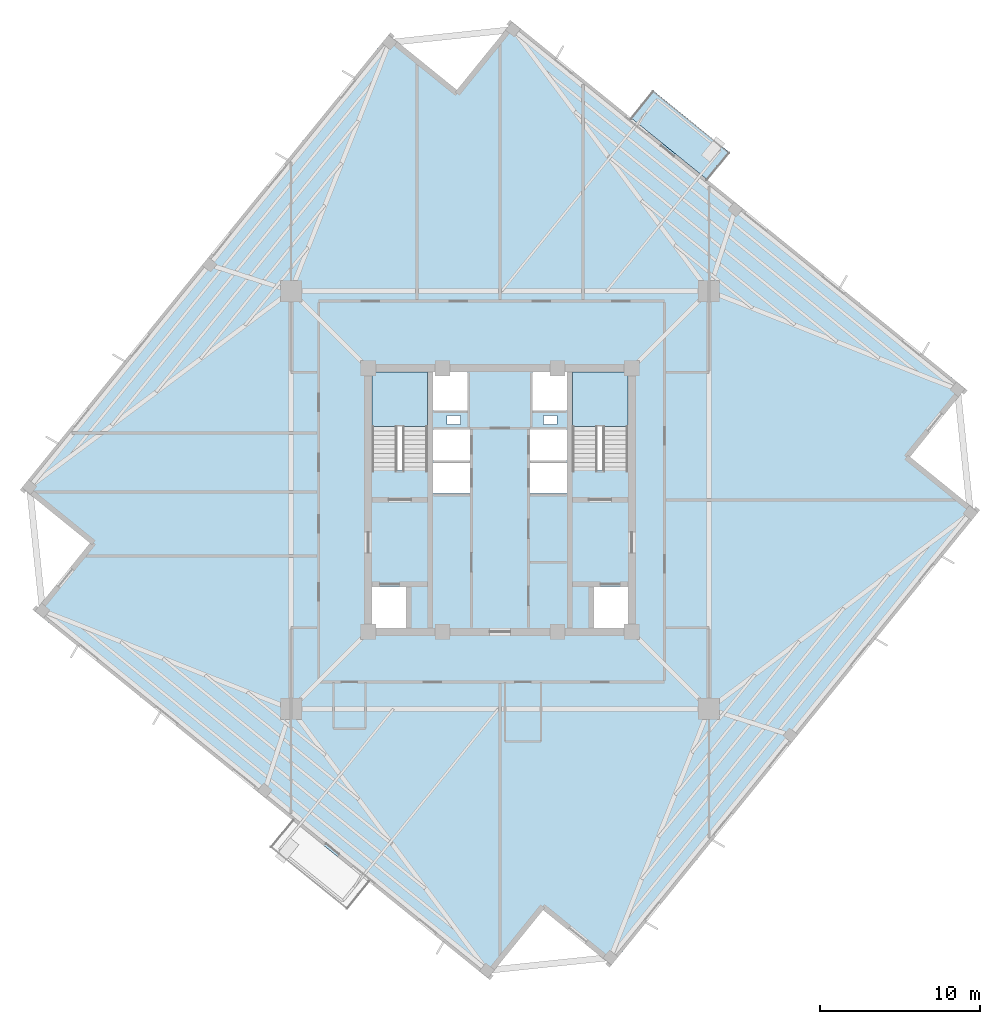
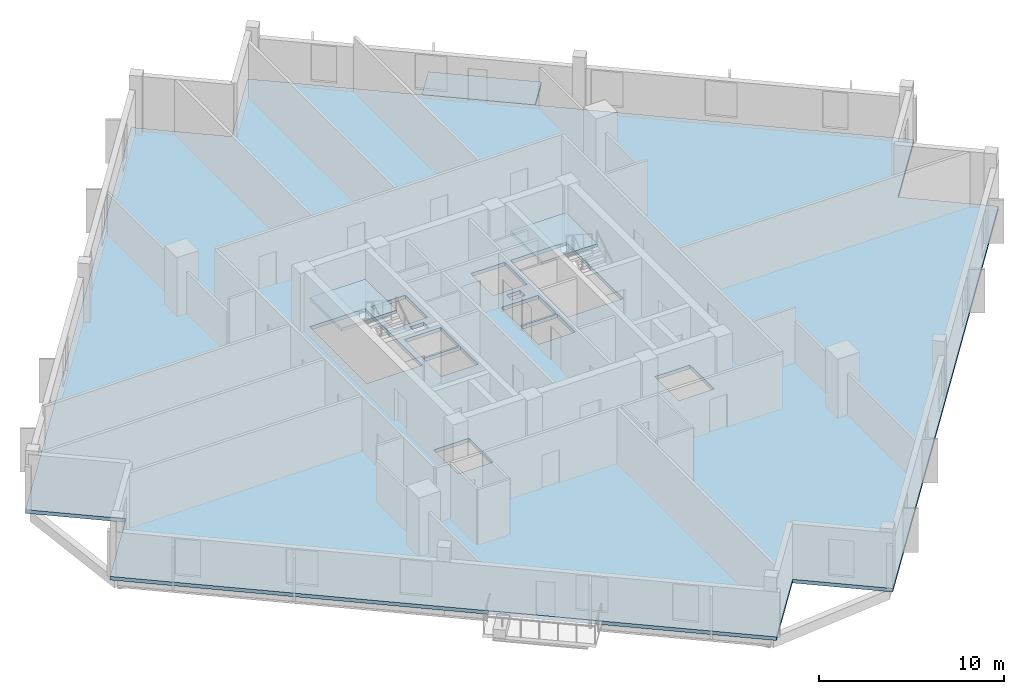
# One storey, part 2 of 10: 4 slabs, 2 elements without a shape of their own.
"""IFC4 building model written with IfcOpenShell, lengths in metres."""

from ifc_helpers import new_model, si_unit, direction, frame, origin, place, context, subcontext, project, spatial, polyline, outline, extrude, material, layer, layer_set, type_object, element, aggregate, save


model = new_model("IFC4")

# Units and contexts
model_context = context("Model", 3, precision=1e-05, world=origin(), true_north=direction((0.0, 1.0)))
body_context = subcontext(model_context, "Body", "Model", "MODEL_VIEW")
ifc_project = project(units=[si_unit("LENGTHUNIT", "METRE"), si_unit("AREAUNIT", "SQUARE_METRE"), si_unit("VOLUMEUNIT", "CUBIC_METRE"), si_unit("PLANEANGLEUNIT", "RADIAN"), si_unit("MASSUNIT", "GRAM", prefix="KILO"), si_unit("THERMODYNAMICTEMPERATUREUNIT", "KELVIN")], contexts=[model_context])

# Site, building, storey
site_placement = place(None, origin())
site = spatial("IfcSite", under=ifc_project, at=site_placement, CompositionType="ELEMENT")
building_placement = place(site_placement, origin())
building = spatial("IfcBuilding", under=site, at=building_placement, Name="Kosmvard Interchange Tower", CompositionType="ELEMENT")
storey_placement = place(building_placement, frame((0.0, 0.0, 252.39990234375)))
storey = spatial("IfcBuildingStorey", under=building, at=storey_placement, Name="L61", CompositionType="ELEMENT", Elevation=252.39990234375)

# Slab
ifc_material = material(Name="Concrete C50/60", Category="concrete")
ifc_layer_1 = layer(ifc_material, 0.239990234375, Name="Concrete C50/60")
ifc_layer_set_1 = layer_set([ifc_layer_1], Name="Concrete C50/60")
slab_type_1 = type_object("IfcSlabType", Name="High-Rise Suite Composite Slab 240 C50/60", PredefinedType="FLOOR", material=ifc_layer_set_1)
slab_1_placement = place(storey_placement, frame((0.0, 0.0, -0.239990234375)))
element("IfcSlab", 1, at=slab_1_placement, inside=storey, type_object=slab_type_1, Name="L61 Structural Floor Slab", PredefinedType="FLOOR", context=body_context, shape_type="SweptSolid", body=[
    extrude(outline(polyline([(6.97216796875, -29.12939453125), (29.9423828125, -0.763427734375), (25.66796875, 2.69775390625), (29.12939453125, 6.97216796875), (0.763427734375, 29.9423828125), (-2.69775390625, 25.66796875), (-6.97216796875, 29.12939453125), (-29.9423828125, 0.763427734375), (-25.66796875, -2.69775390625), (-29.12939453125, -6.97216796875), (-0.763427734375, -29.9423828125), (2.69775390625, -25.66796875), (6.97216796875, -29.12939453125)]), holes=[polyline([(-8.0, 1.8349609375), (-4.5400390625, 1.8349609375), (-4.5400390625, 8.0), (-8.0, 8.0), (-8.0, 1.8349609375)]), polyline([(4.5400390625, 1.8349609375), (8.0, 1.8349609375), (8.0, 8.0), (4.5400390625, 8.0), (4.5400390625, 1.8349609375)]), polyline([(-8.0, -8.0), (-5.800048828125, -8.0), (-5.800048828125, -5.39990234375), (-8.0, -5.39990234375), (-8.0, -8.0)]), polyline([(5.800048828125, -8.0), (8.0, -8.0), (8.0, -5.39990234375), (5.800048828125, -5.39990234375), (5.800048828125, -8.0)]), polyline([(-4.179931640625, 0.39990234375), (-1.8798828125, 0.39990234375), (-1.8798828125, 2.340087890625), (-4.179931640625, 2.340087890625), (-4.179931640625, 0.39990234375)]), polyline([(-4.179931640625, 2.4599609375), (-1.8798828125, 2.4599609375), (-1.8798828125, 4.39990234375), (-4.179931640625, 4.39990234375), (-4.179931640625, 2.4599609375)]), polyline([(1.8798828125, 0.39990234375), (4.179931640625, 0.39990234375), (4.179931640625, 2.340087890625), (1.8798828125, 2.340087890625), (1.8798828125, 0.39990234375)]), polyline([(1.8798828125, 2.4599609375), (4.179931640625, 2.4599609375), (4.179931640625, 4.39990234375), (1.8798828125, 4.39990234375), (1.8798828125, 2.4599609375)]), polyline([(-4.179931640625, 5.60009765625), (-2.0400390625, 5.60009765625), (-2.0400390625, 8.0), (-4.179931640625, 8.0), (-4.179931640625, 5.60009765625)]), polyline([(2.0400390625, 5.60009765625), (4.179931640625, 5.60009765625), (4.179931640625, 8.0), (2.0400390625, 8.0), (2.0400390625, 5.60009765625)]), polyline([(-3.31494140625, 4.739990234375), (-2.465087890625, 4.739990234375), (-2.465087890625, 5.2900390625), (-3.31494140625, 5.2900390625), (-3.31494140625, 4.739990234375)]), polyline([(2.715087890625, 4.739990234375), (3.56494140625, 4.739990234375), (3.56494140625, 5.2900390625), (2.715087890625, 5.2900390625), (2.715087890625, 4.739990234375)])]), origin(), (0.0, 0.0, 1.0), 0.239990234375),
])

# Stair, slab
stair_type = type_object("IfcStairType", Name="Dog-Leg Core Exit Stair H3900 C50/60", PredefinedType="HALF_TURN_STAIR", material=ifc_material)
stair_1_placement = place(storey_placement, origin())
stair_1 = element("IfcStair", 2, at=stair_1_placement, inside=storey, type_object=stair_type, Name="L61 Protected Exit Stair ST-1", PredefinedType="HALF_TURN_STAIR")
ifc_layer_2 = layer(ifc_material, 0.199951171875, Name="Concrete C50/60")
ifc_layer_set_2 = layer_set([ifc_layer_2], Name="Concrete C50/60")
slab_type_2 = type_object("IfcSlabType", Name="Stair Half-Landing Slab 200 C50/60", PredefinedType="LANDING", material=ifc_layer_set_2)
slab_2_placement = place(storey_placement, frame((0.0, 0.0, 1.75)))
slab_2 = element("IfcSlab", 3, at=slab_2_placement, type_object=slab_type_2, Name="ST-1 landing 1", PredefinedType="LANDING", context=body_context, shape_type="SweptSolid", body=[
    extrude(outline(polyline([(-4.5400390625, 4.60009765625), (-4.5400390625, 8.0), (-8.0, 8.0), (-8.0, 4.60009765625), (-4.5400390625, 4.60009765625)])), origin(), (0.0, 0.0, 1.0), 0.2001953125),
])
aggregate(stair_1, [slab_2])

stair_2_placement = place(storey_placement, origin())
stair_2 = element("IfcStair", 4, at=stair_2_placement, inside=storey, type_object=stair_type, Name="L61 Protected Exit Stair ST-2", PredefinedType="HALF_TURN_STAIR")
slab_3_placement = place(storey_placement, frame((0.0, 0.0, 1.75)))
slab_3 = element("IfcSlab", 5, at=slab_3_placement, type_object=slab_type_2, Name="ST-2 landing 1", PredefinedType="LANDING", context=body_context, shape_type="SweptSolid", body=[
    extrude(outline(polyline([(8.0, 4.60009765625), (8.0, 8.0), (4.5400390625, 8.0), (4.5400390625, 4.60009765625), (8.0, 4.60009765625)])), origin(), (0.0, 0.0, 1.0), 0.2001953125),
])
aggregate(stair_2, [slab_3])

# Slab
ifc_layer_3 = layer(ifc_material, 0.22998046875, Name="Concrete C50/60")
ifc_layer_set_3 = layer_set([ifc_layer_3], Name="Concrete C50/60")
slab_type_3 = type_object("IfcSlabType", Name="Tree-Planter Cantilever Balcony Slab 230 C50/60", PredefinedType="FLOOR", material=ifc_layer_set_3)
slab_4_placement = place(storey_placement, frame((0.0, 0.0, -0.22998046875)))
element("IfcSlab", 6, at=slab_4_placement, inside=storey, type_object=slab_type_3, Name="L61 Outdoor Terrace Balcony Slab BAL-L61-E", PredefinedType="FLOOR", context=body_context, shape_type="SweptSolid", body=[
    extrude(outline(polyline([(13.00341796875, 20.030517578125), (14.387939453125, 21.740234375), (9.569580078125, 25.64208984375), (8.185302734375, 23.932373046875), (13.00341796875, 20.030517578125)])), origin(), (0.0, 0.0, 1.0), 0.22998046875),
])

save(model, "model.ifc")
